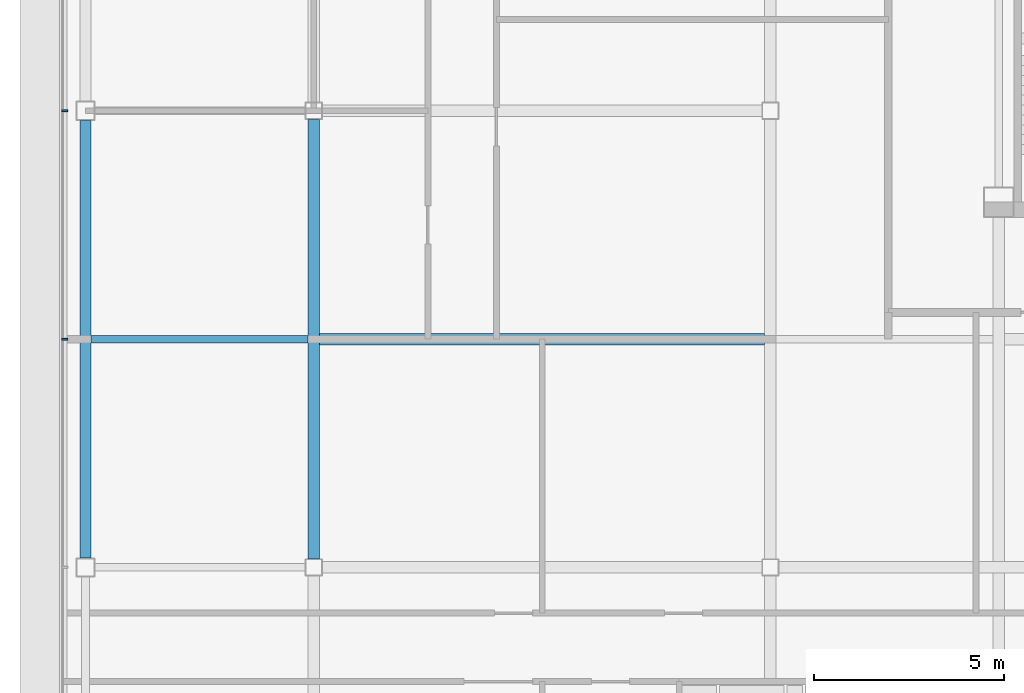
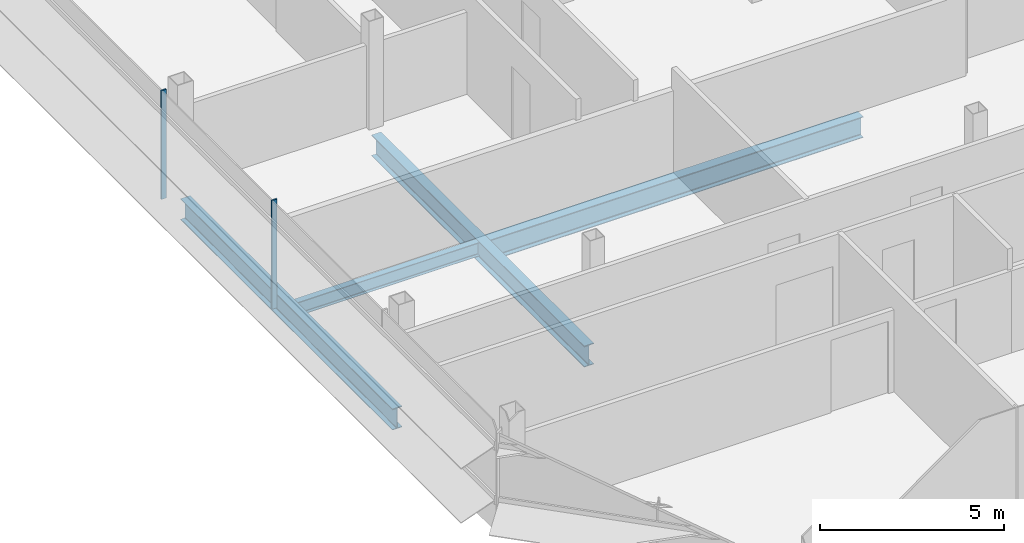
# One storey, part 6 of 27: 4 beams, 2 members, 1 element without a shape of its own.
"""IFC4 building model written with IfcOpenShell, lengths in metres."""

from ifc_helpers import new_model, si_unit, direction, frame, origin, origin_2d, place, context, subcontext, project, spatial, rectangle, i_section, extrude, material, material_profile, profile_set, type_object, element, aggregate, save


model = new_model("IFC4")

# Units and contexts
model_context = context("Model", 3, precision=1e-05, world=origin(), true_north=direction((0.0, 1.0)))
body_context = subcontext(model_context, "Body", "Model", "MODEL_VIEW")
ifc_project = project(units=[si_unit("LENGTHUNIT", "METRE"), si_unit("AREAUNIT", "SQUARE_METRE"), si_unit("VOLUMEUNIT", "CUBIC_METRE"), si_unit("PLANEANGLEUNIT", "RADIAN"), si_unit("MASSUNIT", "GRAM", prefix="KILO")], contexts=[model_context])

# Site, building, storey
site_placement = place(None, origin())
site = spatial("IfcSite", under=ifc_project, at=site_placement, CompositionType="ELEMENT")
building_placement = place(site_placement, origin())
building = spatial("IfcBuilding", under=site, at=building_placement, Name="Sorahane Residences", CompositionType="ELEMENT")
storey_placement = place(building_placement, frame((0.0, 0.0, 316.0)))
storey = spatial("IfcBuildingStorey", under=building, at=storey_placement, Name="L75", CompositionType="ELEMENT", Elevation=316.0)

# Curtain wall, members
ifc_material_1 = material(Name="Dark low-e glass and black anodised aluminium", Category="aluminium")
curtain_wall_type = type_object("IfcCurtainWallType", Name="Curtain wall CW-1 Typical unitised wall", PredefinedType="NOTDEFINED", material=ifc_material_1)
curtain_wall_placement = place(storey_placement, origin())
curtain_wall = element("IfcCurtainWall", 1, at=curtain_wall_placement, inside=storey, type_object=curtain_wall_type, Name="CW-1 curtain wall L75 W1", PredefinedType="NOTDEFINED")
ifc_material_2 = material(Name="Black anodised aluminium", Category="aluminium")
ifc_material_profile_1 = material_profile(ifc_material_2, rectangle(XDim=0.159912109375, YDim=0.050048828125, at=origin_2d()), Name="Curtain wall mullion CW-1 black anodised aluminium 50x160")
ifc_profile_set_1 = profile_set([ifc_material_profile_1], Name="Black anodised aluminium")
member_type = type_object("IfcMemberType", Name="Curtain wall mullion CW-1 black anodised aluminium 50x160", PredefinedType="MULLION", material=ifc_profile_set_1)
member_1_placement = place(storey_placement, frame((-18.5400390625, 24.0, -0.179931640625), z_axis=(0.0, 0.0, 1.0), x_axis=(-1.0, 0.0, 0.0)))
member_1 = element("IfcMember", 2, at=member_1_placement, type_object=member_type, Name="CW-1 mullion L75 W1.4", PredefinedType="MULLION", context=body_context, shape_type="SweptSolid", body=[
    extrude(rectangle(XDim=0.159912109375, YDim=0.050048828125, at=origin_2d()), origin(), (0.0, 0.0, 1.0), 3.599853515625),
])
member_2_placement = place(storey_placement, frame((-18.5400390625, 18.0, -0.179931640625), z_axis=(0.0, 0.0, 1.0), x_axis=(-1.0, 0.0, 0.0)))
member_2 = element("IfcMember", 3, at=member_2_placement, type_object=member_type, Name="CW-1 mullion L75 W1.5", PredefinedType="MULLION", context=body_context, shape_type="SweptSolid", body=[
    extrude(rectangle(XDim=0.159912109375, YDim=0.050048828125, at=origin_2d()), origin(), (0.0, 0.0, 1.0), 3.599853515625),
])
aggregate(curtain_wall, [member_1, member_2])

# Beams
ifc_material_3 = material(Name="Steel Q355B", Category="steel")
ifc_material_profile_2 = material_profile(ifc_material_3, i_section(OverallWidth=0.199951171875, OverallDepth=0.449951171875, WebThickness=0.009033203125, FlangeThickness=0.013916015625, FilletRadius=0.02001953125, at=origin_2d()), Name="HN 450x200x9x14")
ifc_profile_set_2 = profile_set([ifc_material_profile_2], Name="Steel Q355B")
beam_type_1 = type_object("IfcBeamType", Name="Steel floor beam HN 450x200x9x14 Q355B", PredefinedType="BEAM", material=ifc_profile_set_2)
beam_1_placement = place(storey_placement, frame((-17.85009765625, 18.0, -0.405029296875), z_axis=(1.0, 0.0, 0.0), x_axis=(0.0, 1.0, 0.0)))
element("IfcBeam", 4, at=beam_1_placement, inside=storey, type_object=beam_type_1, Name="Beam L75 076", PredefinedType="BEAM", context=body_context, shape_type="SweptSolid", body=[
    extrude(i_section(OverallWidth=0.199951171875, OverallDepth=0.449951171875, WebThickness=0.009033203125, FlangeThickness=0.013916015625, FilletRadius=0.02001953125, at=origin_2d()), origin(), (0.0, 0.0, 1.0), 5.7001953125),
])
ifc_material_4 = material(Name="Steel Q355B", Category="steel")
ifc_material_profile_3 = material_profile(ifc_material_4, i_section(OverallWidth=0.300048828125, OverallDepth=0.699951171875, WebThickness=0.012939453125, FlangeThickness=0.02392578125, FilletRadius=0.028076171875, at=origin_2d()), Name="HN 700x300x13x24")
ifc_profile_set_3 = profile_set([ifc_material_profile_3], Name="Steel Q355B")
beam_type_2 = type_object("IfcBeamType", Name="Steel floor beam HN 700x300x13x24 Q355B", PredefinedType="BEAM", material=ifc_profile_set_3)
beam_2_placement = place(storey_placement, frame((-18.0, 12.25, -0.530029296875), z_axis=(0.0, 1.0, 0.0), x_axis=(-1.0, 0.0, 0.0)))
element("IfcBeam", 5, at=beam_2_placement, inside=storey, type_object=beam_type_2, Name="Beam L75 021", PredefinedType="BEAM", context=body_context, shape_type="SweptSolid", body=[
    extrude(i_section(OverallWidth=0.300048828125, OverallDepth=0.699951171875, WebThickness=0.012939453125, FlangeThickness=0.02392578125, FilletRadius=0.028076171875, at=origin_2d()), origin(), (0.0, 0.0, 1.0), 11.5),
])
beam_3_placement = place(storey_placement, frame((-12.0, 12.22509765625, -0.530029296875), z_axis=(0.0, 1.0, 0.0), x_axis=(-1.0, 0.0, 0.0)))
element("IfcBeam", 6, at=beam_3_placement, inside=storey, type_object=beam_type_2, Name="Beam L75 025", PredefinedType="BEAM", context=body_context, shape_type="SweptSolid", body=[
    extrude(i_section(OverallWidth=0.300048828125, OverallDepth=0.699951171875, WebThickness=0.012939453125, FlangeThickness=0.02392578125, FilletRadius=0.028076171875, at=origin_2d()), origin(), (0.0, 0.0, 1.0), 11.5498046875),
])
beam_4_placement = place(storey_placement, frame((-11.85009765625, 18.0, -0.530029296875), z_axis=(1.0, 0.0, 0.0), x_axis=(0.0, 1.0, 0.0)))
element("IfcBeam", 7, at=beam_4_placement, inside=storey, type_object=beam_type_2, Name="Beam L75 077", PredefinedType="BEAM", context=body_context, shape_type="SweptSolid", body=[
    extrude(i_section(OverallWidth=0.300048828125, OverallDepth=0.699951171875, WebThickness=0.012939453125, FlangeThickness=0.02392578125, FilletRadius=0.028076171875, at=origin_2d()), origin(), (0.0, 0.0, 1.0), 11.7001953125),
])

save(model, "model.ifc")
